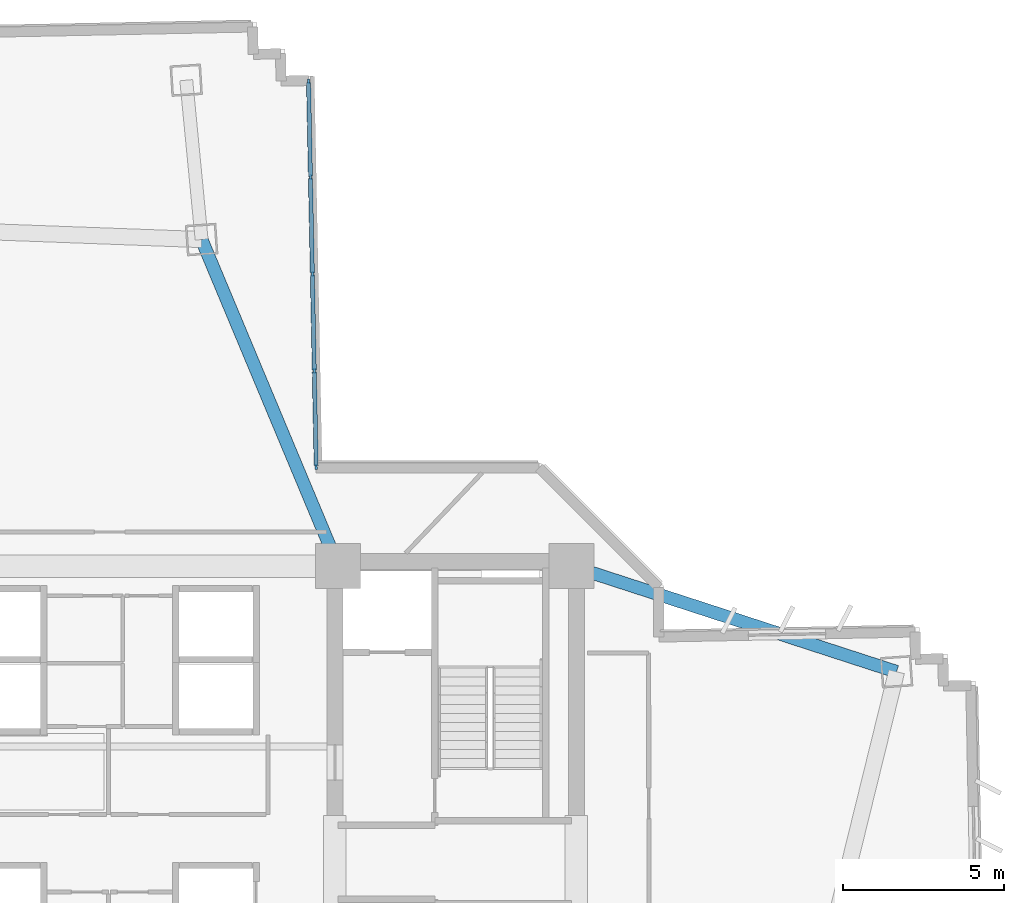
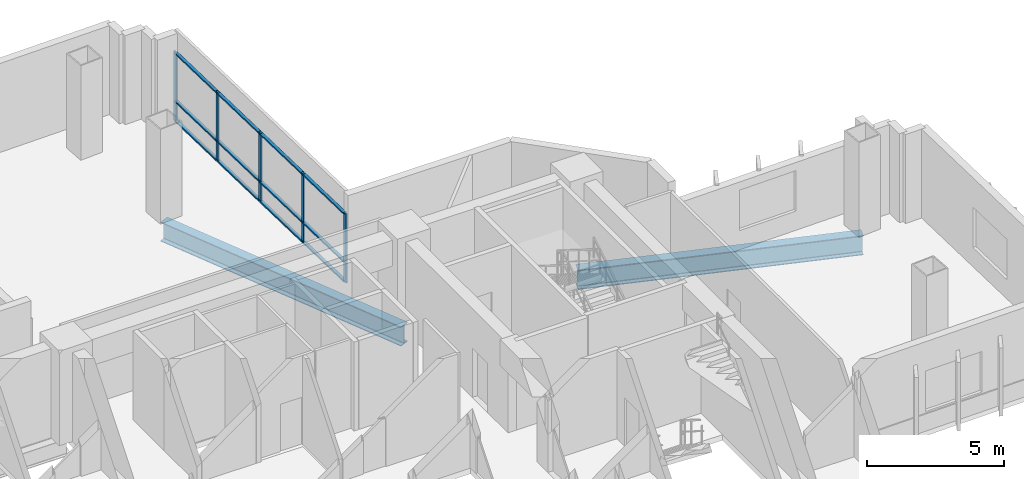
# One storey, part 4 of 15: 17 members, 2 beams, 1 element without a shape of its own.
"""IFC4 building model written with IfcOpenShell, lengths in metres."""

from ifc_helpers import new_model, si_unit, direction, frame, origin, origin_2d, place, context, subcontext, project, spatial, rectangle, i_section, extrude, source, transform, mapped, material, layer, layer_set, material_profile, profile_set, type_object, element, aggregate, save


model = new_model("IFC4")

# Units and contexts
model_context = context("Model", 3, precision=1e-05, world=origin(), true_north=direction((0.0, 1.0)))
body_context = subcontext(model_context, "Body", "Model", "MODEL_VIEW")
ifc_project = project(units=[si_unit("LENGTHUNIT", "METRE"), si_unit("AREAUNIT", "SQUARE_METRE"), si_unit("VOLUMEUNIT", "CUBIC_METRE"), si_unit("PLANEANGLEUNIT", "RADIAN"), si_unit("MASSUNIT", "GRAM", prefix="KILO")], contexts=[model_context])

# Site, building, storey
site_placement = place(None, origin())
site = spatial("IfcSite", under=ifc_project, at=site_placement, CompositionType="ELEMENT")
building_placement = place(site_placement, origin())
building = spatial("IfcBuilding", under=site, at=building_placement, Name="Zahravan Cultural Tower", CompositionType="ELEMENT")
storey_placement = place(building_placement, frame((0.0, 0.0, 50.10009765625)))
storey = spatial("IfcBuildingStorey", under=building, at=storey_placement, Name="L10", CompositionType="ELEMENT", Elevation=50.10009765625)

# Beams
ifc_material_1 = material(Name="Steel ASTM A992 Grade 50", Category="steel")
ifc_material_profile_1 = material_profile(ifc_material_1, i_section(OverallWidth=0.39990234375, OverallDepth=0.862060546875, WebThickness=0.019775390625, FlangeThickness=0.032470703125, FilletRadius=0.02001953125, at=origin_2d()), Name="W33X221")
ifc_profile_set_1 = profile_set([ifc_material_profile_1], Name="Steel ASTM A992 Grade 50")
beam_type = type_object("IfcBeamType", Name="BM-G-W33X221", PredefinedType="BEAM", material=ifc_profile_set_1)
shared_shape_1 = source(origin(), body_context, "Body", "SweptSolid", [
    extrude(i_section(OverallWidth=0.39990234375, OverallDepth=0.862060546875, WebThickness=0.019775390625, FlangeThickness=0.032470703125, FilletRadius=0.02001953125, at=origin_2d()), origin(), (0.0, 0.0, 1.0), 10.615966796875),
])
beam_1_placement = place(storey_placement, frame((50.35009765625, 36.199951171875, -0.68115234375), z_axis=(0.951063640083, -0.30899506875, 0.0), x_axis=(0.30899506875, 0.951063640083, 0.0)))
element("IfcBeam", 1, at=beam_1_placement, inside=storey, type_object=beam_type, Name="L10 Beam BG-L10-11", PredefinedType="BEAM", context=body_context, shape_type="MappedRepresentation", body=[
    mapped(shared_shape_1, transform((0.0, 0.0, 0.0), x_axis=(1.0, 0.0, 0.0), y_axis=(0.0, 1.0, 0.0), z_axis=(0.0, 0.0, 1.0), scale=1.0)),
])
shared_shape_2 = source(origin(), body_context, "Body", "SweptSolid", [
    extrude(i_section(OverallWidth=0.39990234375, OverallDepth=0.862060546875, WebThickness=0.019775390625, FlangeThickness=0.032470703125, FilletRadius=0.02001953125, at=origin_2d()), origin(), (0.0, 0.0, 1.0), 10.997802734375),
])
beam_2_placement = place(storey_placement, frame((43.10009765625, 36.199951171875, -0.68115234375), z_axis=(-0.385775211449, 0.922592806297, 0.0), x_axis=(-0.922592806297, -0.385775211449, 0.0)))
element("IfcBeam", 2, at=beam_2_placement, inside=storey, type_object=beam_type, Name="L10 Beam BG-L10-12", PredefinedType="BEAM", context=body_context, shape_type="MappedRepresentation", body=[
    mapped(shared_shape_2, transform((0.0, 0.0, 0.0), x_axis=(1.0, 0.0, 0.0), y_axis=(0.0, 1.0, 0.0), z_axis=(0.0, 0.0, 1.0), scale=1.0)),
])

# Curtain wall, members
ifc_material_2 = material(Name="Anodised bronze-aluminium mullion", Category="aluminium")
ifc_layer = layer(ifc_material_2, 0.1650390625)
ifc_layer_set = layer_set([ifc_layer], Name="Anodised bronze-aluminium mullion")
curtain_wall_type = type_object("IfcCurtainWallType", Name="CW-SYS-4", PredefinedType="USERDEFINED", material=ifc_layer_set)
curtain_wall_placement = place(storey_placement, origin())
curtain_wall = element("IfcCurtainWall", 3, at=curtain_wall_placement, inside=storey, type_object=curtain_wall_type, Name="L10 Recessed Curtain Wall CW-4.2", ObjectType="RECESSED GLAZING", PredefinedType="USERDEFINED")
ifc_material_profile_2 = material_profile(ifc_material_2, rectangle(XDim=0.1298828125, YDim=0.06494140625, at=origin_2d()), Name="AL-T65X130")
ifc_profile_set_2 = profile_set([ifc_material_profile_2], Name="Anodised bronze-aluminium mullion")
member_type_1 = type_object("IfcMemberType", Name="CWT-CW-4", PredefinedType="USERDEFINED", material=ifc_profile_set_2)
shared_shape_3 = source(origin(), body_context, "Body", "SweptSolid", [
    extrude(rectangle(XDim=0.1298828125, YDim=0.06494140625, at=origin_2d()), origin(), (0.0, 0.0, 1.0), 2.909912109375),
])
member_1_placement = place(storey_placement, frame((42.17919921875, 51.22265625, 0.032470703125), z_axis=(0.019967487615, -0.999800629845, 0.0), x_axis=(0.999800629845, 0.019967487615, 0.0)))
member_1 = element("IfcMember", 4, at=member_1_placement, type_object=member_type_1, Name="CW-4 transom 1.1", ObjectType="TRANSOM", PredefinedType="USERDEFINED", context=body_context, shape_type="MappedRepresentation", body=[
    mapped(shared_shape_3, transform((0.0, 0.0, 0.0), x_axis=(1.0, 0.0, 0.0), y_axis=(0.0, 1.0, 0.0), z_axis=(0.0, 0.0, 1.0), scale=1.0)),
])
member_2_placement = place(storey_placement, frame((42.17919921875, 51.22265625, 0.89990234375), z_axis=(0.019967487615, -0.999800629845, 0.0), x_axis=(0.999800629845, 0.019967487615, 0.0)))
member_2 = element("IfcMember", 5, at=member_2_placement, type_object=member_type_1, Name="CW-4 transom 1.2", ObjectType="TRANSOM", PredefinedType="USERDEFINED", context=body_context, shape_type="MappedRepresentation", body=[
    mapped(shared_shape_3, transform((0.0, 0.0, 0.0), x_axis=(1.0, 0.0, 0.0), y_axis=(0.0, 1.0, 0.0), z_axis=(0.0, 0.0, 1.0), scale=1.0)),
])
member_3_placement = place(storey_placement, frame((42.17919921875, 51.22265625, 3.037353515625), z_axis=(0.019967487615, -0.999800629845, 0.0), x_axis=(0.999800629845, 0.019967487615, 0.0)))
member_3 = element("IfcMember", 6, at=member_3_placement, type_object=member_type_1, Name="CW-4 transom 1.3", ObjectType="TRANSOM", PredefinedType="USERDEFINED", context=body_context, shape_type="MappedRepresentation", body=[
    mapped(shared_shape_3, transform((0.0, 0.0, 0.0), x_axis=(1.0, 0.0, 0.0), y_axis=(0.0, 1.0, 0.0), z_axis=(0.0, 0.0, 1.0), scale=1.0)),
])
member_4_placement = place(storey_placement, frame((42.358154296875, 42.234375, 0.032470703125), z_axis=(0.019883623847, -0.999802301209, 0.0), x_axis=(0.999802301209, 0.019883623847, 0.0)))
member_4 = element("IfcMember", 7, at=member_4_placement, type_object=member_type_1, Name="CW-4 transom 4.1", ObjectType="TRANSOM", PredefinedType="USERDEFINED", context=body_context, shape_type="MappedRepresentation", body=[
    mapped(shared_shape_3, transform((0.0, 0.0, 0.0), x_axis=(1.0, 0.0, 0.0), y_axis=(0.0, 1.0, 0.0), z_axis=(0.0, 0.0, 1.0), scale=1.0)),
])
member_5_placement = place(storey_placement, frame((42.358154296875, 42.234375, 0.89990234375), z_axis=(0.019883623847, -0.999802301209, 0.0), x_axis=(0.999802301209, 0.019883623847, 0.0)))
member_5 = element("IfcMember", 8, at=member_5_placement, type_object=member_type_1, Name="CW-4 transom 4.2", ObjectType="TRANSOM", PredefinedType="USERDEFINED", context=body_context, shape_type="MappedRepresentation", body=[
    mapped(shared_shape_3, transform((0.0, 0.0, 0.0), x_axis=(1.0, 0.0, 0.0), y_axis=(0.0, 1.0, 0.0), z_axis=(0.0, 0.0, 1.0), scale=1.0)),
])
member_6_placement = place(storey_placement, frame((42.358154296875, 42.234375, 3.037353515625), z_axis=(0.019883623847, -0.999802301209, 0.0), x_axis=(0.999802301209, 0.019883623847, 0.0)))
member_6 = element("IfcMember", 9, at=member_6_placement, type_object=member_type_1, Name="CW-4 transom 4.3", ObjectType="TRANSOM", PredefinedType="USERDEFINED", context=body_context, shape_type="MappedRepresentation", body=[
    mapped(shared_shape_3, transform((0.0, 0.0, 0.0), x_axis=(1.0, 0.0, 0.0), y_axis=(0.0, 1.0, 0.0), z_axis=(0.0, 0.0, 1.0), scale=1.0)),
])
shared_shape_4 = source(origin(), body_context, "Body", "SweptSolid", [
    extrude(rectangle(XDim=0.1298828125, YDim=0.06494140625, at=origin_2d()), origin(), (0.0, 0.0, 1.0), 2.9423828125),
])
member_7_placement = place(storey_placement, frame((42.238525390625, 48.248291015625, 0.032470703125), z_axis=(0.019913063209, -0.999801715298, 0.0), x_axis=(0.999801715298, 0.019913063209, 0.0)))
member_7 = element("IfcMember", 10, at=member_7_placement, type_object=member_type_1, Name="CW-4 transom 2.1", ObjectType="TRANSOM", PredefinedType="USERDEFINED", context=body_context, shape_type="MappedRepresentation", body=[
    mapped(shared_shape_4, transform((0.0, 0.0, 0.0), x_axis=(1.0, 0.0, 0.0), y_axis=(0.0, 1.0, 0.0), z_axis=(0.0, 0.0, 1.0), scale=1.0)),
])
member_8_placement = place(storey_placement, frame((42.238525390625, 48.248291015625, 0.89990234375), z_axis=(0.019913063209, -0.999801715298, 0.0), x_axis=(0.999801715298, 0.019913063209, 0.0)))
member_8 = element("IfcMember", 11, at=member_8_placement, type_object=member_type_1, Name="CW-4 transom 2.2", ObjectType="TRANSOM", PredefinedType="USERDEFINED", context=body_context, shape_type="MappedRepresentation", body=[
    mapped(shared_shape_4, transform((0.0, 0.0, 0.0), x_axis=(1.0, 0.0, 0.0), y_axis=(0.0, 1.0, 0.0), z_axis=(0.0, 0.0, 1.0), scale=1.0)),
])
member_9_placement = place(storey_placement, frame((42.238525390625, 48.248291015625, 3.037353515625), z_axis=(0.019913063209, -0.999801715298, 0.0), x_axis=(0.999801715298, 0.019913063209, 0.0)))
member_9 = element("IfcMember", 12, at=member_9_placement, type_object=member_type_1, Name="CW-4 transom 2.3", ObjectType="TRANSOM", PredefinedType="USERDEFINED", context=body_context, shape_type="MappedRepresentation", body=[
    mapped(shared_shape_4, transform((0.0, 0.0, 0.0), x_axis=(1.0, 0.0, 0.0), y_axis=(0.0, 1.0, 0.0), z_axis=(0.0, 0.0, 1.0), scale=1.0)),
])
shared_shape_5 = source(origin(), body_context, "Body", "SweptSolid", [
    extrude(rectangle(XDim=0.1298828125, YDim=0.06494140625, at=origin_2d()), origin(), (0.0, 0.0, 1.0), 2.942626953125),
])
member_10_placement = place(storey_placement, frame((42.29833984375, 45.241455078125, 0.032470703125), z_axis=(0.019911411465, -0.999801748195, 0.0), x_axis=(0.999801748195, 0.019911411465, 0.0)))
member_10 = element("IfcMember", 13, at=member_10_placement, type_object=member_type_1, Name="CW-4 transom 3.1", ObjectType="TRANSOM", PredefinedType="USERDEFINED", context=body_context, shape_type="MappedRepresentation", body=[
    mapped(shared_shape_5, transform((0.0, 0.0, 0.0), x_axis=(1.0, 0.0, 0.0), y_axis=(0.0, 1.0, 0.0), z_axis=(0.0, 0.0, 1.0), scale=1.0)),
])
member_11_placement = place(storey_placement, frame((42.29833984375, 45.241455078125, 0.89990234375), z_axis=(0.019911411465, -0.999801748195, 0.0), x_axis=(0.999801748195, 0.019911411465, 0.0)))
member_11 = element("IfcMember", 14, at=member_11_placement, type_object=member_type_1, Name="CW-4 transom 3.2", ObjectType="TRANSOM", PredefinedType="USERDEFINED", context=body_context, shape_type="MappedRepresentation", body=[
    mapped(shared_shape_5, transform((0.0, 0.0, 0.0), x_axis=(1.0, 0.0, 0.0), y_axis=(0.0, 1.0, 0.0), z_axis=(0.0, 0.0, 1.0), scale=1.0)),
])
member_12_placement = place(storey_placement, frame((42.29833984375, 45.241455078125, 3.037353515625), z_axis=(0.019911411465, -0.999801748195, 0.0), x_axis=(0.999801748195, 0.019911411465, 0.0)))
member_12 = element("IfcMember", 15, at=member_12_placement, type_object=member_type_1, Name="CW-4 transom 3.3", ObjectType="TRANSOM", PredefinedType="USERDEFINED", context=body_context, shape_type="MappedRepresentation", body=[
    mapped(shared_shape_5, transform((0.0, 0.0, 0.0), x_axis=(1.0, 0.0, 0.0), y_axis=(0.0, 1.0, 0.0), z_axis=(0.0, 0.0, 1.0), scale=1.0)),
])
ifc_material_profile_3 = material_profile(ifc_material_2, rectangle(XDim=0.06494140625, YDim=0.1650390625, at=origin_2d()), Name="AL-M65X165")
ifc_profile_set_3 = profile_set([ifc_material_profile_3], Name="Anodised bronze-aluminium mullion")
member_type_2 = type_object("IfcMemberType", Name="CWM-CW-4", PredefinedType="MULLION", material=ifc_profile_set_3)
shared_shape_6 = source(origin(), body_context, "Body", "SweptSolid", [
    extrude(rectangle(XDim=0.06494140625, YDim=0.1650390625, at=origin_2d()), origin(), (0.0, 0.0, 1.0), 3.06982421875),
])
member_13_placement = place(storey_placement, frame((42.1787109375, 51.255126953125, 0.0), z_axis=(0.0, 0.0, 1.0), x_axis=(0.999801973139, 0.019900113269, 0.0)))
member_13 = element("IfcMember", 16, at=member_13_placement, type_object=member_type_2, Name="CW-4 mullion 1", PredefinedType="MULLION", context=body_context, shape_type="MappedRepresentation", body=[
    mapped(shared_shape_6, transform((0.0, 0.0, 0.0), x_axis=(1.0, 0.0, 0.0), y_axis=(0.0, 1.0, 0.0), z_axis=(0.0, 0.0, 1.0), scale=1.0)),
])
member_14_placement = place(storey_placement, frame((42.23779296875, 48.28076171875, 0.0), z_axis=(0.0, 0.0, 1.0), x_axis=(0.999801973139, 0.019900113269, 0.0)))
member_14 = element("IfcMember", 17, at=member_14_placement, type_object=member_type_2, Name="CW-4 mullion 2", PredefinedType="MULLION", context=body_context, shape_type="MappedRepresentation", body=[
    mapped(shared_shape_6, transform((0.0, 0.0, 0.0), x_axis=(1.0, 0.0, 0.0), y_axis=(0.0, 1.0, 0.0), z_axis=(0.0, 0.0, 1.0), scale=1.0)),
])
member_15_placement = place(storey_placement, frame((42.297607421875, 45.27392578125, 0.0), z_axis=(0.0, 0.0, 1.0), x_axis=(0.999801973139, 0.019900113269, 0.0)))
member_15 = element("IfcMember", 18, at=member_15_placement, type_object=member_type_2, Name="CW-4 mullion 3", PredefinedType="MULLION", context=body_context, shape_type="MappedRepresentation", body=[
    mapped(shared_shape_6, transform((0.0, 0.0, 0.0), x_axis=(1.0, 0.0, 0.0), y_axis=(0.0, 1.0, 0.0), z_axis=(0.0, 0.0, 1.0), scale=1.0)),
])
member_16_placement = place(storey_placement, frame((42.357666015625, 42.266845703125, 0.0), z_axis=(0.0, 0.0, 1.0), x_axis=(0.999801973139, 0.019900113269, 0.0)))
member_16 = element("IfcMember", 19, at=member_16_placement, type_object=member_type_2, Name="CW-4 mullion 4", PredefinedType="MULLION", context=body_context, shape_type="MappedRepresentation", body=[
    mapped(shared_shape_6, transform((0.0, 0.0, 0.0), x_axis=(1.0, 0.0, 0.0), y_axis=(0.0, 1.0, 0.0), z_axis=(0.0, 0.0, 1.0), scale=1.0)),
])
member_17_placement = place(storey_placement, frame((42.416748046875, 39.29248046875, 0.0), z_axis=(0.0, 0.0, 1.0), x_axis=(0.999801973139, 0.019900113269, 0.0)))
member_17 = element("IfcMember", 20, at=member_17_placement, type_object=member_type_2, Name="CW-4 mullion 5", PredefinedType="MULLION", context=body_context, shape_type="MappedRepresentation", body=[
    mapped(shared_shape_6, transform((0.0, 0.0, 0.0), x_axis=(1.0, 0.0, 0.0), y_axis=(0.0, 1.0, 0.0), z_axis=(0.0, 0.0, 1.0), scale=1.0)),
])
aggregate(curtain_wall, [member_13, member_14, member_15, member_16, member_17, member_1, member_2, member_3, member_7, member_8, member_9, member_10, member_11, member_12, member_4, member_5, member_6])

save(model, "model.ifc")
